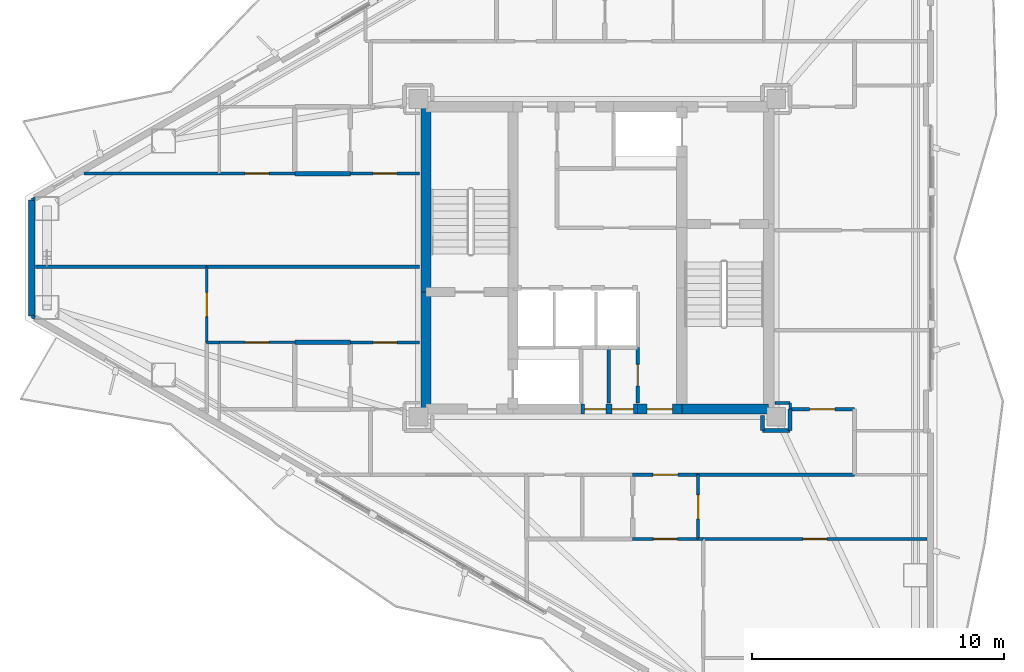
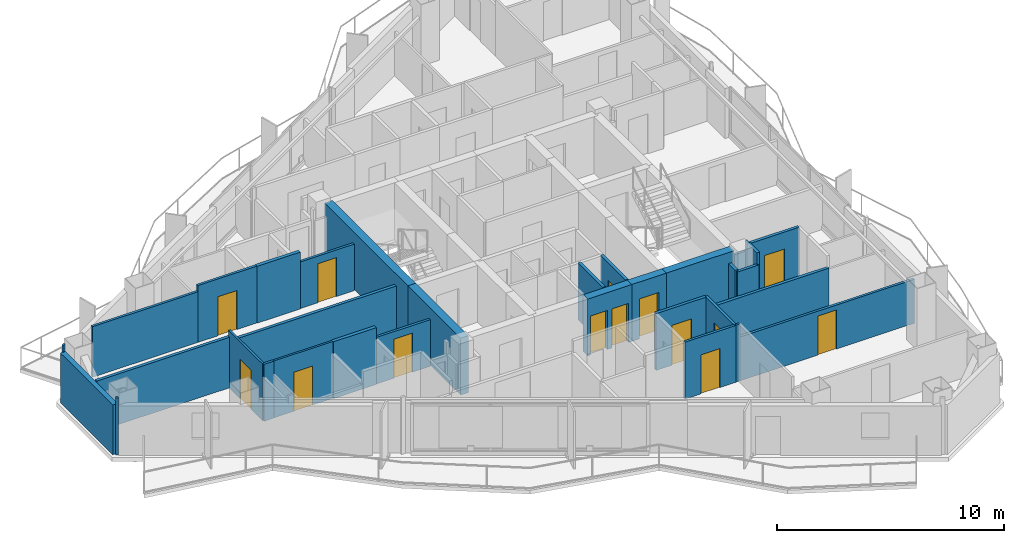
# One storey, part 13 of 19: 33 walls, 14 doors, 14 openings.
"""IFC4 building model written with IfcOpenShell, lengths in metres."""

from ifc_helpers import new_model, si_unit, direction, frame, frame_2d, origin, place, context, subcontext, project, spatial, rectangle, extrude, material, layer, layer_set, type_object, element, fill, save


model = new_model("IFC4")

# Units and contexts
model_context = context("Model", 3, precision=1e-05, world=origin(), true_north=direction((0.0, 1.0)))
body_context = subcontext(model_context, "Body", "Model", "MODEL_VIEW")
ifc_project = project(units=[si_unit("LENGTHUNIT", "METRE"), si_unit("AREAUNIT", "SQUARE_METRE"), si_unit("VOLUMEUNIT", "CUBIC_METRE"), si_unit("PLANEANGLEUNIT", "RADIAN"), si_unit("MASSUNIT", "GRAM", prefix="KILO")], contexts=[model_context])

# Site, building, storey
site_placement = place(None, origin())
site = spatial("IfcSite", under=ifc_project, at=site_placement, CompositionType="ELEMENT")
building_placement = place(site_placement, origin())
building = spatial("IfcBuilding", under=site, at=building_placement, Name="Mersakhor Tower and Convention Hall", CompositionType="ELEMENT")
storey_placement = place(building_placement, frame((0.0, 0.0, 127.800048828125)))
storey = spatial("IfcBuildingStorey", under=building, at=storey_placement, Name="L35", CompositionType="ELEMENT", Elevation=127.800048828125)

# Walls
ifc_material_1 = material(Name="Precast concrete C40/50", Category="concrete")
ifc_layer_1 = layer(ifc_material_1, 0.25)
ifc_layer_set_1 = layer_set([ifc_layer_1], Name="Precast concrete C40/50")
wall_type_1 = type_object("IfcWallType", Name="WL-EXT-250", PredefinedType="SOLIDWALL", material=ifc_layer_set_1)
wall_1_placement = place(storey_placement, frame((6.560302734375, 24.44140625, 0.0), z_axis=(0.0, 0.0, 1.0), x_axis=(0.0, 1.0, 0.0)))
element("IfcWall", 1, at=wall_1_placement, inside=storey, type_object=wall_type_1, Name="L35 Chamfer Braced Spandrel Wall C3", PredefinedType="SOLIDWALL", context=body_context, shape_type="SweptSolid", body=[
    extrude(rectangle(XDim=4.6171875, YDim=0.25, at=frame_2d((2.30859375, 0.0))), origin(), (0.0, 0.0, 1.0), 2.679931640625),
])
ifc_material_2 = material(Name="Moisture-resistant acoustic drywall studwork", Category="other")
ifc_layer_2 = layer(ifc_material_2, 0.175048828125)
ifc_layer_set_2 = layer_set([ifc_layer_2], Name="Moisture-resistant acoustic drywall studwork")
wall_type_2 = type_object("IfcWallType", Name="WL-PLM-175", PredefinedType="PLUMBINGWALL", material=ifc_layer_set_2)
for number, where, z_axis, x_axis, name in (
    (2, (19.199951171875, 30.10009765625, 0.0), (0.0, 0.0, 1.0), (-1.0, 0.0, 0.0), "L35 Interior Partition Wall P-080"),
    (3, (17.0, 23.39990234375, 0.0), (0.0, 0.0, 1.0), (1.0, 0.0, 0.0), "L35 Interior Partition Wall P-085"),
):
    element("IfcWall", number, at=place(storey_placement, frame(where, z_axis=z_axis, x_axis=x_axis)), inside=storey, type_object=wall_type_2, Name=name, PredefinedType="PLUMBINGWALL", context=body_context, shape_type="SweptSolid", body=[
        extrude(rectangle(XDim=2.199951171875, YDim=0.175048828125, at=frame_2d((1.10009765625, 0.0))), origin(), (0.0, 0.0, 1.0), 3.06005859375),
    ])
ifc_material_3 = material(Name="Lightweight gypsum partition", Category="other")
ifc_layer_3 = layer(ifc_material_3, 0.10009765625)
ifc_layer_set_3 = layer_set([ifc_layer_3], Name="Lightweight gypsum partition")
wall_type_3 = type_object("IfcWallType", Name="WL-PRT-100", PredefinedType="PARTITIONING", material=ifc_layer_set_3)
wall_2_placement = place(storey_placement, frame((33.199951171875, 15.60009765625, 0.0), z_axis=(0.0, 0.0, 1.0), x_axis=(-1.0, 0.0, 0.0)))
element("IfcWall", 4, at=wall_2_placement, inside=storey, type_object=wall_type_3, Name="L35 Interior Partition Wall P-078", PredefinedType="PARTITIONING", context=body_context, shape_type="SweptSolid", body=[
    extrude(rectangle(XDim=0.199951171875, YDim=0.10009765625, at=frame_2d((0.10009765625, 0.0))), origin(), (0.0, 0.0, 1.0), 3.06005859375),
])

# Wall, opening, door
wall_3_placement = place(storey_placement, frame((14.0, 23.39990234375, 0.0), z_axis=(0.0, 0.0, 1.0), x_axis=(1.0, 0.0, 0.0)))
wall_3 = element("IfcWall", 5, at=wall_3_placement, inside=storey, type_object=wall_type_3, Name="L35 Interior Partition Wall P-088", PredefinedType="PARTITIONING", context=body_context, shape_type="SweptSolid", body=[
    extrude(rectangle(XDim=3.0, YDim=0.10009765625, at=frame_2d((1.5, 0.0))), origin(), (0.0, 0.0, 1.0), 3.06005859375),
])
opening_1_placement = place(wall_3_placement, frame((1.02490234375, 0.0, 0.0)))
opening_1 = element("IfcOpeningElement", 6, at=opening_1_placement, cuts=wall_3, Name="Opening RD-01", PredefinedType="OPENING", context=body_context, shape_type="SweptSolid", body=[
    extrude(rectangle(XDim=0.949951171875, YDim=2.10009765625, at=frame_2d((0.47509765625, 1.050048828125))), frame((0.0, 0.06005859375, 0.0), z_axis=(0.0, -1.0, 0.0), x_axis=(1.0, 0.0, 0.0)), (0.0, 0.0, 1.0), 0.1201171875),
])
ifc_material_4 = material(Name="Solid-core hardwood leaf in painted steel frame", Category="steel")
door_type_1 = type_object("IfcDoorType", Name="DR-INT-RM-095x210", OperationType="NOTDEFINED", PredefinedType="DOOR", material=ifc_material_4)
door_1_placement = place(opening_1_placement, origin())
door_1 = element("IfcDoor", 7, at=door_1_placement, inside=storey, type_object=door_type_1, Name="L35 L35 Flat W4 Kitchen to L35 Flat W4 Living and Dining Room Door", OperationType="SINGLE_SWING_LEFT", OverallHeight=2.10009765625, OverallWidth=0.949951171875, PredefinedType="DOOR", context=body_context, shape_type="SweptSolid", body=[
    extrude(rectangle(XDim=0.949951171875, YDim=2.10009765625, at=frame_2d((0.47509765625, 1.050048828125))), frame((0.0, 0.02490234375, 0.0), z_axis=(0.0, -1.0, 0.0), x_axis=(1.0, 0.0, 0.0)), (0.0, 0.0, 1.0), 0.050048828125),
])
fill(opening_1, door_1)

# Walls
wall_4_placement = place(storey_placement, frame((36.64990234375, 20.75, 0.0), z_axis=(0.0, 0.0, 1.0), x_axis=(0.0, 1.0, 0.0)))
element("IfcWall", 8, at=wall_4_placement, inside=storey, type_object=wall_type_3, Name="L35 Interior Partition Wall P-104", PredefinedType="PARTITIONING", context=body_context, shape_type="SweptSolid", body=[
    extrude(rectangle(XDim=0.25, YDim=0.10009765625, at=frame_2d((0.125, 0.0))), origin(), (0.0, 0.0, 1.0), 3.06005859375),
])
wall_5_placement = place(storey_placement, frame((6.56005859375, 29.05908203125, 0.0), z_axis=(0.0, 0.0, 1.0), x_axis=(0.866131372301, 0.499816412211, 0.0)))
element("IfcWall", 9, at=wall_5_placement, inside=storey, type_object=wall_type_3, Name="L35 Interior Partition Wall P-124", PredefinedType="PARTITIONING", context=body_context, shape_type="SweptSolid", body=[
    extrude(rectangle(XDim=0.14990234375, YDim=0.10009765625, at=frame_2d((0.074951171875, 0.0))), origin(), (0.0, 0.0, 1.0), 3.06005859375),
])

# Wall, opening, door
wall_6_placement = place(storey_placement, frame((13.5, 23.39990234375, 0.0), z_axis=(0.0, 0.0, 1.0), x_axis=(0.0, 1.0, 0.0)))
wall_6 = element("IfcWall", 10, at=wall_6_placement, inside=storey, type_object=wall_type_3, Name="L35 Interior Partition Wall P-126", PredefinedType="PARTITIONING", context=body_context, shape_type="SweptSolid", body=[
    extrude(rectangle(XDim=3.0, YDim=0.10009765625, at=frame_2d((1.5, 0.0))), origin(), (0.0, 0.0, 1.0), 3.06005859375),
])
opening_2_placement = place(wall_6_placement, frame((1.02490234375, 0.0, 0.0)))
opening_2 = element("IfcOpeningElement", 11, at=opening_2_placement, cuts=wall_6, Name="Opening RD-01", PredefinedType="OPENING", context=body_context, shape_type="SweptSolid", body=[
    extrude(rectangle(XDim=0.949951171875, YDim=2.10009765625, at=frame_2d((0.47509765625, 1.050048828125))), frame((0.0, 0.06005859375, 0.0), z_axis=(0.0, -1.0, 0.0), x_axis=(1.0, 0.0, 0.0)), (0.0, 0.0, 1.0), 0.1201171875),
])
door_2_placement = place(opening_2_placement, origin())
door_2 = element("IfcDoor", 12, at=door_2_placement, inside=storey, type_object=door_type_1, Name="L35 L35 Flat W4 Living and Dining Room to L35 Flat W4 Bedroom 1 Door", OperationType="SINGLE_SWING_RIGHT", OverallHeight=2.10009765625, OverallWidth=0.949951171875, PredefinedType="DOOR", context=body_context, shape_type="SweptSolid", body=[
    extrude(rectangle(XDim=0.949951171875, YDim=2.10009765625, at=frame_2d((0.47509765625, 1.050048828125))), frame((0.0, 0.02490234375, 0.0), z_axis=(0.0, -1.0, 0.0), x_axis=(1.0, 0.0, 0.0)), (0.0, 0.0, 1.0), 0.050048828125),
])
fill(opening_2, door_2)

ifc_material_5 = material(Name="Gypsum board acoustic partition", Category="other")
ifc_layer_4 = layer(ifc_material_5, 0.125)
ifc_layer_set_4 = layer_set([ifc_layer_4], Name="Gypsum board acoustic partition")
wall_type_4 = type_object("IfcWallType", Name="WL-PRT-125", PredefinedType="PARTITIONING", material=ifc_layer_set_4)
wall_7_placement = place(storey_placement, frame((33.0, 15.60009765625, 0.0), z_axis=(0.0, 0.0, 1.0), x_axis=(-1.0, 0.0, 0.0)))
wall_7 = element("IfcWall", 13, at=wall_7_placement, inside=storey, type_object=wall_type_4, Name="L35 Interior Partition Wall P-053", PredefinedType="PARTITIONING", context=body_context, shape_type="SweptSolid", body=[
    extrude(rectangle(XDim=2.60009765625, YDim=0.125, at=frame_2d((1.300048828125, 0.0))), origin(), (0.0, 0.0, 1.0), 3.06005859375),
])
opening_3_placement = place(wall_7_placement, frame((0.824951171875, 0.0, 0.0)))
opening_3 = element("IfcOpeningElement", 14, at=opening_3_placement, cuts=wall_7, Name="Opening RD-01", PredefinedType="OPENING", context=body_context, shape_type="SweptSolid", body=[
    extrude(rectangle(XDim=0.949951171875, YDim=2.10009765625, at=frame_2d((0.47509765625, 1.050048828125))), frame((0.0, 0.072509765625, 0.0), z_axis=(0.0, -1.0, 0.0), x_axis=(1.0, 0.0, 0.0)), (0.0, 0.0, 1.0), 0.14501953125),
])
door_3_placement = place(opening_3_placement, origin())
door_3 = element("IfcDoor", 15, at=door_3_placement, inside=storey, type_object=door_type_1, Name="L35 L35 Flat S2 Apartment Hall to L35 Flat S2 Living and Dining Room Door", OperationType="SINGLE_SWING_RIGHT", OverallHeight=2.10009765625, OverallWidth=0.949951171875, PredefinedType="DOOR", context=body_context, shape_type="SweptSolid", body=[
    extrude(rectangle(XDim=0.949951171875, YDim=2.10009765625, at=frame_2d((0.47509765625, 1.050048828125))), frame((0.0, 0.02490234375, 0.0), z_axis=(0.0, -1.0, 0.0), x_axis=(1.0, 0.0, 0.0)), (0.0, 0.0, 1.0), 0.050048828125),
])
fill(opening_3, door_3)

wall_8_placement = place(storey_placement, frame((33.0, 18.14990234375, 0.0), z_axis=(0.0, 0.0, 1.0), x_axis=(0.0, -1.0, 0.0)))
wall_8 = element("IfcWall", 16, at=wall_8_placement, inside=storey, type_object=wall_type_4, Name="L35 Interior Partition Wall P-055", PredefinedType="PARTITIONING", context=body_context, shape_type="SweptSolid", body=[
    extrude(rectangle(XDim=2.5498046875, YDim=0.125, at=frame_2d((1.27490234375, 0.0))), origin(), (0.0, 0.0, 1.0), 3.06005859375),
])
opening_4_placement = place(wall_8_placement, frame((0.800048828125, 0.0, 0.0)))
opening_4 = element("IfcOpeningElement", 17, at=opening_4_placement, cuts=wall_8, Name="Opening RD-01", PredefinedType="OPENING", context=body_context, shape_type="SweptSolid", body=[
    extrude(rectangle(XDim=0.949951171875, YDim=2.10009765625, at=frame_2d((0.47509765625, 1.050048828125))), frame((0.0, 0.072509765625, 0.0), z_axis=(0.0, -1.0, 0.0), x_axis=(1.0, 0.0, 0.0)), (0.0, 0.0, 1.0), 0.14501953125),
])
door_4_placement = place(opening_4_placement, origin())
door_4 = element("IfcDoor", 18, at=door_4_placement, inside=storey, type_object=door_type_1, Name="L35 L35 Flat S2 Apartment Hall to L35 Flat S2 Kitchen Door", OperationType="SINGLE_SWING_LEFT", OverallHeight=2.10009765625, OverallWidth=0.949951171875, PredefinedType="DOOR", context=body_context, shape_type="SweptSolid", body=[
    extrude(rectangle(XDim=0.949951171875, YDim=2.10009765625, at=frame_2d((0.47509765625, 1.050048828125))), frame((0.0, 0.02490234375, 0.0), z_axis=(0.0, -1.0, 0.0), x_axis=(1.0, 0.0, 0.0)), (0.0, 0.0, 1.0), 0.050048828125),
])
fill(opening_4, door_4)

wall_9_placement = place(storey_placement, frame((21.949951171875, 30.10009765625, 0.0), z_axis=(0.0, 0.0, 1.0), x_axis=(-1.0, 0.0, 0.0)))
wall_9 = element("IfcWall", 19, at=wall_9_placement, inside=storey, type_object=wall_type_4, Name="L35 Interior Partition Wall P-057", PredefinedType="PARTITIONING", context=body_context, shape_type="SweptSolid", body=[
    extrude(rectangle(XDim=2.75, YDim=0.125, at=frame_2d((1.375, 0.0))), origin(), (0.0, 0.0, 1.0), 2.50830078125),
])
opening_5_placement = place(wall_9_placement, frame((0.89990234375, 0.0, 0.0)))
opening_5 = element("IfcOpeningElement", 20, at=opening_5_placement, cuts=wall_9, Name="Opening RD-01", PredefinedType="OPENING", context=body_context, shape_type="SweptSolid", body=[
    extrude(rectangle(XDim=0.949951171875, YDim=2.10009765625, at=frame_2d((0.47509765625, 1.050048828125))), frame((0.0, 0.072509765625, 0.0), z_axis=(0.0, -1.0, 0.0), x_axis=(1.0, 0.0, 0.0)), (0.0, 0.0, 1.0), 0.14501953125),
])
door_5_placement = place(opening_5_placement, origin())
door_5 = element("IfcDoor", 21, at=door_5_placement, inside=storey, type_object=door_type_1, Name="L35 L35 Flat W3 Apartment Hall to L35 Flat W3 Studio Living and Sleeping Room Door", OperationType="SINGLE_SWING_RIGHT", OverallHeight=2.10009765625, OverallWidth=0.949951171875, PredefinedType="DOOR", context=body_context, shape_type="SweptSolid", body=[
    extrude(rectangle(XDim=0.949951171875, YDim=2.10009765625, at=frame_2d((0.47509765625, 1.050048828125))), frame((0.0, 0.02490234375, 0.0), z_axis=(0.0, -1.0, 0.0), x_axis=(1.0, 0.0, 0.0)), (0.0, 0.0, 1.0), 0.050048828125),
])
fill(opening_5, door_5)

wall_10_placement = place(storey_placement, frame((19.199951171875, 23.39990234375, 0.0), z_axis=(0.0, 0.0, 1.0), x_axis=(1.0, 0.0, 0.0)))
wall_10 = element("IfcWall", 22, at=wall_10_placement, inside=storey, type_object=wall_type_4, Name="L35 Interior Partition Wall P-063", PredefinedType="PARTITIONING", context=body_context, shape_type="SweptSolid", body=[
    extrude(rectangle(XDim=2.75, YDim=0.125, at=frame_2d((1.375, 0.0))), origin(), (0.0, 0.0, 1.0), 2.50830078125),
])
opening_6_placement = place(wall_10_placement, frame((0.89990234375, 0.0, 0.0)))
opening_6 = element("IfcOpeningElement", 23, at=opening_6_placement, cuts=wall_10, Name="Opening RD-01", PredefinedType="OPENING", context=body_context, shape_type="SweptSolid", body=[
    extrude(rectangle(XDim=0.949951171875, YDim=2.10009765625, at=frame_2d((0.47509765625, 1.050048828125))), frame((0.0, 0.072509765625, 0.0), z_axis=(0.0, -1.0, 0.0), x_axis=(1.0, 0.0, 0.0)), (0.0, 0.0, 1.0), 0.14501953125),
])
door_6_placement = place(opening_6_placement, origin())
door_6 = element("IfcDoor", 24, at=door_6_placement, inside=storey, type_object=door_type_1, Name="L35 L35 Flat W4 Apartment Hall to L35 Flat W4 Living and Dining Room Door", OperationType="SINGLE_SWING_RIGHT", OverallHeight=2.10009765625, OverallWidth=0.949951171875, PredefinedType="DOOR", context=body_context, shape_type="SweptSolid", body=[
    extrude(rectangle(XDim=0.949951171875, YDim=2.10009765625, at=frame_2d((0.47509765625, 1.050048828125))), frame((0.0, 0.02490234375, 0.0), z_axis=(0.0, -1.0, 0.0), x_axis=(1.0, 0.0, 0.0)), (0.0, 0.0, 1.0), 0.050048828125),
])
fill(opening_6, door_6)

wall_11_placement = place(storey_placement, frame((42.0703125, 15.60009765625, 0.0), z_axis=(0.0, 0.0, 1.0), x_axis=(-1.0, 0.0, 0.0)))
wall_11 = element("IfcWall", 25, at=wall_11_placement, inside=storey, type_object=wall_type_4, Name="L35 Interior Partition Wall P-077", PredefinedType="PARTITIONING", context=body_context, shape_type="SweptSolid", body=[
    extrude(rectangle(XDim=8.870361328125, YDim=0.125, at=frame_2d((4.43505859375, 0.0))), origin(), (0.0, 0.0, 1.0), 2.364990234375),
])
opening_7_placement = place(wall_11_placement, frame((3.960205078125, 0.0, 0.0)))
opening_7 = element("IfcOpeningElement", 26, at=opening_7_placement, cuts=wall_11, Name="Opening RD-01", PredefinedType="OPENING", context=body_context, shape_type="SweptSolid", body=[
    extrude(rectangle(XDim=0.949951171875, YDim=2.10009765625, at=frame_2d((0.47509765625, 1.050048828125))), frame((0.0, 0.072509765625, 0.0), z_axis=(0.0, -1.0, 0.0), x_axis=(1.0, 0.0, 0.0)), (0.0, 0.0, 1.0), 0.14501953125),
])
door_7_placement = place(opening_7_placement, origin())
door_7 = element("IfcDoor", 27, at=door_7_placement, inside=storey, type_object=door_type_1, Name="L35 L35 Flat S2 Kitchen to L35 Flat S2 Dining Room Door", OperationType="SINGLE_SWING_LEFT", OverallHeight=2.10009765625, OverallWidth=0.949951171875, PredefinedType="DOOR", context=body_context, shape_type="SweptSolid", body=[
    extrude(rectangle(XDim=0.949951171875, YDim=2.10009765625, at=frame_2d((0.47509765625, 1.050048828125))), frame((0.0, 0.02490234375, 0.0), z_axis=(0.0, -1.0, 0.0), x_axis=(1.0, 0.0, 0.0)), (0.0, 0.0, 1.0), 0.050048828125),
])
fill(opening_7, door_7)

wall_12_placement = place(storey_placement, frame((17.0, 30.10009765625, 0.0), z_axis=(0.0, 0.0, 1.0), x_axis=(-1.0, 0.0, 0.0)))
wall_12 = element("IfcWall", 28, at=wall_12_placement, inside=storey, type_object=wall_type_4, Name="L35 Interior Partition Wall P-083", PredefinedType="PARTITIONING", context=body_context, shape_type="SweptSolid", body=[
    extrude(rectangle(XDim=3.0, YDim=0.125, at=frame_2d((1.5, 0.0))), origin(), (0.0, 0.0, 1.0), 3.06005859375),
])
opening_8_placement = place(wall_12_placement, frame((1.02490234375, 0.0, 0.0)))
opening_8 = element("IfcOpeningElement", 29, at=opening_8_placement, cuts=wall_12, Name="Opening RD-01", PredefinedType="OPENING", context=body_context, shape_type="SweptSolid", body=[
    extrude(rectangle(XDim=0.949951171875, YDim=2.10009765625, at=frame_2d((0.47509765625, 1.050048828125))), frame((0.0, 0.072509765625, 0.0), z_axis=(0.0, -1.0, 0.0), x_axis=(1.0, 0.0, 0.0)), (0.0, 0.0, 1.0), 0.14501953125),
])
door_8_placement = place(opening_8_placement, origin())
door_8 = element("IfcDoor", 30, at=door_8_placement, inside=storey, type_object=door_type_1, Name="L35 L35 Flat W3 Kitchen to L35 Flat W3 Studio Living and Sleeping Room Door", OperationType="SINGLE_SWING_RIGHT", OverallHeight=2.10009765625, OverallWidth=0.949951171875, PredefinedType="DOOR", context=body_context, shape_type="SweptSolid", body=[
    extrude(rectangle(XDim=0.949951171875, YDim=2.10009765625, at=frame_2d((0.47509765625, 1.050048828125))), frame((0.0, 0.02490234375, 0.0), z_axis=(0.0, -1.0, 0.0), x_axis=(1.0, 0.0, 0.0)), (0.0, 0.0, 1.0), 0.050048828125),
])
fill(opening_8, door_8)

# Walls
wall_13_placement = place(storey_placement, frame((36.64990234375, 21.0, 0.0), z_axis=(0.0, 0.0, 1.0), x_axis=(-1.0, 0.0, 0.0)))
element("IfcWall", 31, at=wall_13_placement, inside=storey, type_object=wall_type_4, Name="L35 Interior Partition Wall P-105", PredefinedType="PARTITIONING", context=body_context, shape_type="SweptSolid", body=[
    extrude(rectangle(XDim=0.599853515625, YDim=0.125, at=frame_2d((0.2998046875, 0.0))), origin(), (0.0, 0.0, 1.0), 2.50830078125),
])
wall_14_placement = place(storey_placement, frame((8.634765625, 30.10009765625, 0.0), z_axis=(0.0, 0.0, 1.0), x_axis=(1.0, 0.0, 0.0)))
element("IfcWall", 32, at=wall_14_placement, inside=storey, type_object=wall_type_4, Name="L35 Interior Partition Wall P-121", PredefinedType="PARTITIONING", context=body_context, shape_type="SweptSolid", body=[
    extrude(rectangle(XDim=5.365234375, YDim=0.125, at=frame_2d((2.6826171875, 0.0))), origin(), (0.0, 0.0, 1.0), 2.724365234375),
])
wall_15_placement = place(storey_placement, frame((14.0, 23.39990234375, 0.0), z_axis=(0.0, 0.0, 1.0), x_axis=(-1.0, 0.0, 0.0)))
element("IfcWall", 33, at=wall_15_placement, inside=storey, type_object=wall_type_4, Name="L35 Interior Partition Wall P-125", PredefinedType="PARTITIONING", context=body_context, shape_type="SweptSolid", body=[
    extrude(rectangle(XDim=0.5, YDim=0.125, at=frame_2d((0.25, 0.0))), origin(), (0.0, 0.0, 1.0), 3.06005859375),
])
wall_16_placement = place(storey_placement, frame((6.68994140625, 24.365966796875, 0.0), z_axis=(0.0, 0.0, 1.0), x_axis=(-0.866131372301, 0.499816412211, 0.0)))
element("IfcWall", 34, at=wall_16_placement, inside=storey, type_object=wall_type_4, Name="L35 Interior Partition Wall P-129", PredefinedType="PARTITIONING", context=body_context, shape_type="SweptSolid", body=[
    extrude(rectangle(XDim=0.14990234375, YDim=0.125, at=frame_2d((0.074951171875, 0.0))), origin(), (0.0, 0.0, 1.0), 3.06005859375),
])

# Wall, opening, door
ifc_material_6 = material(Name="Fire-rated gypsum board stud partition", Category="other")
ifc_layer_5 = layer(ifc_material_6, 0.14990234375)
ifc_layer_set_5 = layer_set([ifc_layer_5], Name="Fire-rated gypsum board stud partition")
wall_type_5 = type_object("IfcWallType", Name="WL-PRT-150", PredefinedType="PARTITIONING", material=ifc_layer_set_5)
wall_17_placement = place(storey_placement, frame((30.60009765625, 21.0, 0.0), z_axis=(0.0, 0.0, 1.0), x_axis=(0.0, 1.0, 0.0)))
wall_17 = element("IfcWall", 35, at=wall_17_placement, inside=storey, type_object=wall_type_5, Name="L35 Interior Partition Wall P-012", PredefinedType="PARTITIONING", context=body_context, shape_type="SweptSolid", body=[
    extrude(rectangle(XDim=2.199951171875, YDim=0.14990234375, at=frame_2d((1.10009765625, 0.0))), origin(), (0.0, 0.0, 1.0), 3.06005859375),
])
opening_9_placement = place(wall_17_placement, frame((0.675048828125, 0.0, 0.0)))
opening_9 = element("IfcOpeningElement", 36, at=opening_9_placement, cuts=wall_17, Name="Opening SVD-01", PredefinedType="OPENING", context=body_context, shape_type="SweptSolid", body=[
    extrude(rectangle(XDim=0.85009765625, YDim=2.10009765625, at=frame_2d((0.425048828125, 1.050048828125))), frame((0.0, 0.0849609375, 0.0), z_axis=(0.0, -1.0, 0.0), x_axis=(1.0, 0.0, 0.0)), (0.0, 0.0, 1.0), 0.169921875),
])
ifc_material_7 = material(Name="Fire-rated hardwood leaf and painted steel frame", Category="steel")
door_type_2 = type_object("IfcDoorType", Name="DR-INT-SVC-085x210", OperationType="NOTDEFINED", PredefinedType="DOOR", material=ifc_material_7)
door_9_placement = place(opening_9_placement, origin())
door_9 = element("IfcDoor", 37, at=door_9_placement, inside=storey, type_object=door_type_2, Name="L35 Central Passenger Lift Lobby to Core Maintenance Store Room Door", OperationType="SINGLE_SWING_LEFT", OverallHeight=2.10009765625, OverallWidth=0.85009765625, PredefinedType="DOOR", context=body_context, shape_type="SweptSolid", body=[
    extrude(rectangle(XDim=0.85009765625, YDim=2.10009765625, at=frame_2d((0.425048828125, 1.050048828125))), frame((0.0, 0.02490234375, 0.0), z_axis=(0.0, -1.0, 0.0), x_axis=(1.0, 0.0, 0.0)), (0.0, 0.0, 1.0), 0.050048828125),
])
fill(opening_9, door_9)

# Walls
wall_18_placement = place(storey_placement, frame((35.550048828125, 20.5, 0.0), z_axis=(0.0, 0.0, 1.0), x_axis=(0.0, -1.0, 0.0)))
element("IfcWall", 38, at=wall_18_placement, inside=storey, type_object=wall_type_5, Name="L35 Interior Partition Wall P-034", PredefinedType="PARTITIONING", context=body_context, shape_type="SweptSolid", body=[
    extrude(rectangle(XDim=0.60009765625, YDim=0.14990234375, at=frame_2d((0.300048828125, 0.0))), origin(), (0.0, 0.0, 1.0), 2.50830078125),
])
wall_19_placement = place(storey_placement, frame((35.550048828125, 19.89990234375, 0.0), z_axis=(0.0, 0.0, 1.0), x_axis=(1.0, 0.0, 0.0)))
element("IfcWall", 39, at=wall_19_placement, inside=storey, type_object=wall_type_5, Name="L35 Interior Partition Wall P-035", PredefinedType="PARTITIONING", context=body_context, shape_type="SweptSolid", body=[
    extrude(rectangle(XDim=1.099853515625, YDim=0.14990234375, at=frame_2d((0.5498046875, 0.0))), origin(), (0.0, 0.0, 1.0), 2.432861328125),
])
wall_20_placement = place(storey_placement, frame((36.64990234375, 19.89990234375, 0.0), z_axis=(0.0, 0.0, 1.0), x_axis=(0.0, 1.0, 0.0)))
element("IfcWall", 40, at=wall_20_placement, inside=storey, type_object=wall_type_5, Name="L35 Interior Partition Wall P-036", PredefinedType="PARTITIONING", context=body_context, shape_type="SweptSolid", body=[
    extrude(rectangle(XDim=0.85009765625, YDim=0.14990234375, at=frame_2d((0.425048828125, 0.0))), origin(), (0.0, 0.0, 1.0), 3.06005859375),
])

# Wall, opening, door
wall_21_placement = place(storey_placement, frame((36.64990234375, 20.75, 0.0), z_axis=(0.0, 0.0, 1.0), x_axis=(1.0, 0.0, 0.0)))
wall_21 = element("IfcWall", 41, at=wall_21_placement, inside=storey, type_object=wall_type_5, Name="L35 Interior Partition Wall P-037", PredefinedType="PARTITIONING", context=body_context, shape_type="SweptSolid", body=[
    extrude(rectangle(XDim=2.550048828125, YDim=0.14990234375, at=frame_2d((1.27490234375, 0.0))), origin(), (0.0, 0.0, 1.0), 3.06005859375),
])
opening_10_placement = place(wall_21_placement, frame((0.77490234375, 0.0, 0.0)))
opening_10 = element("IfcOpeningElement", 42, at=opening_10_placement, cuts=wall_21, Name="Opening FD-01", PredefinedType="OPENING", context=body_context, shape_type="SweptSolid", body=[
    extrude(rectangle(XDim=1.0, YDim=2.14990234375, at=frame_2d((0.5, 1.074951171875))), frame((0.0, 0.0849609375, 0.0), z_axis=(0.0, -1.0, 0.0), x_axis=(1.0, 0.0, 0.0)), (0.0, 0.0, 1.0), 0.169921875),
])
ifc_material_8 = material(Name="Fire-rated hardwood leaf and painted steel frame", Category="steel")
door_type_3 = type_object("IfcDoorType", Name="DR-INT-FLT-100x215", OperationType="NOTDEFINED", PredefinedType="DOOR", material=ifc_material_8)
door_10_placement = place(opening_10_placement, origin())
door_10 = element("IfcDoor", 43, at=door_10_placement, inside=storey, type_object=door_type_3, Name="L35 Residential South Gallery Corridor to L35 East Wing Communal Laundry Room Door", OperationType="SINGLE_SWING_RIGHT", OverallHeight=2.14990234375, OverallWidth=1.0, PredefinedType="DOOR", context=body_context, shape_type="SweptSolid", body=[
    extrude(rectangle(XDim=1.0, YDim=2.14990234375, at=frame_2d((0.5, 1.074951171875))), frame((0.0, 0.02490234375, 0.0), z_axis=(0.0, -1.0, 0.0), x_axis=(1.0, 0.0, 0.0)), (0.0, 0.0, 1.0), 0.050048828125),
])
fill(opening_10, door_10)

# Wall
wall_22_placement = place(storey_placement, frame((39.199951171875, 18.14990234375, 0.0), z_axis=(0.0, 0.0, 1.0), x_axis=(-1.0, 0.0, 0.0)))
element("IfcWall", 44, at=wall_22_placement, inside=storey, type_object=wall_type_5, Name="L35 Interior Partition Wall P-040", PredefinedType="PARTITIONING", context=body_context, shape_type="SweptSolid", body=[
    extrude(rectangle(XDim=6.199951171875, YDim=0.14990234375, at=frame_2d((3.10009765625, 0.0))), origin(), (0.0, 0.0, 1.0), 2.432861328125),
])

# Wall, opening, door
wall_23_placement = place(storey_placement, frame((33.0, 18.14990234375, 0.0), z_axis=(0.0, 0.0, 1.0), x_axis=(-1.0, 0.0, 0.0)))
wall_23 = element("IfcWall", 45, at=wall_23_placement, inside=storey, type_object=wall_type_5, Name="L35 Interior Partition Wall P-041", PredefinedType="PARTITIONING", context=body_context, shape_type="SweptSolid", body=[
    extrude(rectangle(XDim=2.60009765625, YDim=0.14990234375, at=frame_2d((1.300048828125, 0.0))), origin(), (0.0, 0.0, 1.0), 3.06005859375),
])
opening_11_placement = place(wall_23_placement, frame((0.800048828125, 0.0, 0.0)))
opening_11 = element("IfcOpeningElement", 46, at=opening_11_placement, cuts=wall_23, Name="Opening FD-01", PredefinedType="OPENING", context=body_context, shape_type="SweptSolid", body=[
    extrude(rectangle(XDim=1.0, YDim=2.14990234375, at=frame_2d((0.5, 1.074951171875))), frame((0.0, 0.0849609375, 0.0), z_axis=(0.0, -1.0, 0.0), x_axis=(1.0, 0.0, 0.0)), (0.0, 0.0, 1.0), 0.169921875),
])
door_11_placement = place(opening_11_placement, origin())
door_11 = element("IfcDoor", 47, at=door_11_placement, inside=storey, type_object=door_type_3, Name="L35 Apartment Entrance Door (Residential South Gallery Corridor to L35 Flat S2 Apartment Hall)", OperationType="SINGLE_SWING_RIGHT", OverallHeight=2.14990234375, OverallWidth=1.0, PredefinedType="DOOR", context=body_context, shape_type="SweptSolid", body=[
    extrude(rectangle(XDim=1.0, YDim=2.14990234375, at=frame_2d((0.5, 1.074951171875))), frame((0.0, 0.02490234375, 0.0), z_axis=(0.0, -1.0, 0.0), x_axis=(1.0, 0.0, 0.0)), (0.0, 0.0, 1.0), 0.050048828125),
])
fill(opening_11, door_11)

# Walls
wall_24_placement = place(storey_placement, frame((29.449951171875, 23.199951171875, 0.0), z_axis=(0.0, 0.0, 1.0), x_axis=(0.0, -1.0, 0.0)))
element("IfcWall", 48, at=wall_24_placement, inside=storey, type_object=wall_type_5, Name="L35 Interior Partition Wall P-092", PredefinedType="PARTITIONING", context=body_context, shape_type="SweptSolid", body=[
    extrude(rectangle(XDim=2.199951171875, YDim=0.14990234375, at=frame_2d((1.10009765625, 0.0))), origin(), (0.0, 0.0, 1.0), 3.06005859375),
])
wall_25_placement = place(storey_placement, frame((21.949951171875, 26.39990234375, 0.0), z_axis=(0.0, 0.0, 1.0), x_axis=(-1.0, 0.0, 0.0)))
element("IfcWall", 49, at=wall_25_placement, inside=storey, type_object=wall_type_5, Name="L35 Interior Partition Wall P-122", PredefinedType="PARTITIONING", context=body_context, shape_type="SweptSolid", body=[
    extrude(rectangle(XDim=8.449951171875, YDim=0.14990234375, at=frame_2d((4.22509765625, 0.0))), origin(), (0.0, 0.0, 1.0), 2.50830078125),
])
wall_26_placement = place(storey_placement, frame((13.5, 26.39990234375, 0.0), z_axis=(0.0, 0.0, 1.0), x_axis=(-1.0, 0.0, 0.0)))
element("IfcWall", 50, at=wall_26_placement, inside=storey, type_object=wall_type_5, Name="L35 Interior Partition Wall P-123", PredefinedType="PARTITIONING", context=body_context, shape_type="SweptSolid", body=[
    extrude(rectangle(XDim=6.790771484375, YDim=0.14990234375, at=frame_2d((3.3955078125, 0.0))), origin(), (0.0, 0.0, 1.0), 2.724365234375),
])
ifc_material_9 = material(Name="Concrete C60/75", Category="concrete")
ifc_layer_6 = layer(ifc_material_9, 0.39990234375)
ifc_layer_set_6 = layer_set([ifc_layer_6], Name="Concrete C60/75")
wall_type_6 = type_object("IfcWallType", Name="WL-SHR-400", PredefinedType="SHEAR", material=ifc_layer_set_6)
wall_27_placement = place(storey_placement, frame((22.199951171875, 20.75, 0.0), z_axis=(0.0, 0.0, 1.0), x_axis=(0.0, 1.0, 0.0)))
element("IfcWall", 51, at=wall_27_placement, inside=storey, type_object=wall_type_6, Name="L35 Core Wall CW-W1", PredefinedType="SHEAR", context=body_context, shape_type="SweptSolid", body=[
    extrude(rectangle(XDim=4.64990234375, YDim=0.39990234375, at=frame_2d((2.324951171875, 0.0))), origin(), (0.0, 0.0, 1.0), 3.06005859375),
])
wall_28_placement = place(storey_placement, frame((22.199951171875, 25.39990234375, 0.0), z_axis=(0.0, 0.0, 1.0), x_axis=(0.0, 1.0, 0.0)))
element("IfcWall", 52, at=wall_28_placement, inside=storey, type_object=wall_type_6, Name="L35 Core Wall CW-W2", PredefinedType="SHEAR", context=body_context, shape_type="SweptSolid", body=[
    extrude(rectangle(XDim=7.35009765625, YDim=0.39990234375, at=frame_2d((3.675048828125, 0.0))), origin(), (0.0, 0.0, 1.0), 3.06005859375),
])
wall_29_placement = place(storey_placement, frame((35.800048828125, 20.75, 0.0), z_axis=(0.0, 0.0, 1.0), x_axis=(-1.0, 0.0, 0.0)))
element("IfcWall", 53, at=wall_29_placement, inside=storey, type_object=wall_type_6, Name="L35 Core Wall CW-S1", PredefinedType="SHEAR", context=body_context, shape_type="SweptSolid", body=[
    extrude(rectangle(XDim=3.449951171875, YDim=0.39990234375, at=frame_2d((1.72509765625, 0.0))), origin(), (0.0, 0.0, 1.0), 3.06005859375),
])

# Wall, opening, door
wall_30_placement = place(storey_placement, frame((32.35009765625, 20.75, 0.0), z_axis=(0.0, 0.0, 1.0), x_axis=(-1.0, 0.0, 0.0)))
wall_30 = element("IfcWall", 54, at=wall_30_placement, inside=storey, type_object=wall_type_6, Name="L35 Core Wall CW-S2A", PredefinedType="SHEAR", context=body_context, shape_type="SweptSolid", body=[
    extrude(rectangle(XDim=1.75, YDim=0.39990234375, at=frame_2d((0.875, 0.0))), origin(), (0.0, 0.0, 1.0), 3.06005859375),
])
opening_12_placement = place(wall_30_placement, frame((0.375, 0.0, 0.0)))
opening_12 = element("IfcOpeningElement", 55, at=opening_12_placement, cuts=wall_30, Name="Opening CFD-01", PredefinedType="OPENING", context=body_context, shape_type="SweptSolid", body=[
    extrude(rectangle(XDim=1.0, YDim=2.14990234375, at=frame_2d((0.5, 1.074951171875))), frame((0.0, 0.2099609375, 0.0), z_axis=(0.0, -1.0, 0.0), x_axis=(1.0, 0.0, 0.0)), (0.0, 0.0, 1.0), 0.419921875),
])
ifc_material_10 = material(Name="Fire-rated hardwood leaf and painted steel frame", Category="steel")
door_type_4 = type_object("IfcDoorType", Name="DR-CORE-FD-100x215", OperationType="NOTDEFINED", PredefinedType="DOOR", material=ifc_material_10)
door_12_placement = place(opening_12_placement, origin())
door_12 = element("IfcDoor", 56, at=door_12_placement, inside=storey, type_object=door_type_4, Name="L35 Lift Lobby South Corridor Door", OperationType="SINGLE_SWING_RIGHT", OverallHeight=2.14990234375, OverallWidth=1.0, PredefinedType="DOOR", context=body_context, shape_type="SweptSolid", body=[
    extrude(rectangle(XDim=1.0, YDim=2.14990234375, at=frame_2d((0.5, 1.074951171875))), frame((0.0, 0.02490234375, 0.0), z_axis=(0.0, -1.0, 0.0), x_axis=(1.0, 0.0, 0.0)), (0.0, 0.0, 1.0), 0.050048828125),
])
fill(opening_12, door_12)

# Wall, openings, doors
wall_31_placement = place(storey_placement, frame((30.60009765625, 20.75, 0.0), z_axis=(0.0, 0.0, 1.0), x_axis=(-1.0, 0.0, 0.0)))
wall_31 = element("IfcWall", 57, at=wall_31_placement, inside=storey, type_object=wall_type_6, Name="L35 Core Wall CW-S2B", PredefinedType="SHEAR", context=body_context, shape_type="SweptSolid", body=[
    extrude(rectangle(XDim=2.25, YDim=0.39990234375, at=frame_2d((1.125, 0.0))), origin(), (0.0, 0.0, 1.0), 3.06005859375),
])
opening_13_placement = place(wall_31_placement, frame((1.2548828125, 0.0, 0.0)))
opening_13 = element("IfcOpeningElement", 58, at=opening_13_placement, cuts=wall_31, Name="Opening SVD-01", PredefinedType="OPENING", context=body_context, shape_type="SweptSolid", body=[
    extrude(rectangle(XDim=0.85009765625, YDim=2.10009765625, at=frame_2d((0.425048828125, 1.050048828125))), frame((0.0, 0.2099609375, 0.0), z_axis=(0.0, -1.0, 0.0), x_axis=(1.0, 0.0, 0.0)), (0.0, 0.0, 1.0), 0.419921875),
])
opening_14_placement = place(wall_31_placement, frame((0.169921875, 0.0, 0.0)))
opening_14 = element("IfcOpeningElement", 59, at=opening_14_placement, cuts=wall_31, Name="Opening SVD-01", PredefinedType="OPENING", context=body_context, shape_type="SweptSolid", body=[
    extrude(rectangle(XDim=0.85009765625, YDim=2.10009765625, at=frame_2d((0.425048828125, 1.050048828125))), frame((0.0, 0.2099609375, 0.0), z_axis=(0.0, -1.0, 0.0), x_axis=(1.0, 0.0, 0.0)), (0.0, 0.0, 1.0), 0.419921875),
])
door_13_placement = place(opening_13_placement, origin())
door_13 = element("IfcDoor", 60, at=door_13_placement, inside=storey, type_object=door_type_2, Name="L35 Residential South Gallery Corridor to Sub-Metering Switch Room Door", OperationType="SINGLE_SWING_LEFT", OverallHeight=2.10009765625, OverallWidth=0.85009765625, PredefinedType="DOOR", context=body_context, shape_type="SweptSolid", body=[
    extrude(rectangle(XDim=0.85009765625, YDim=2.10009765625, at=frame_2d((0.425048828125, 1.050048828125))), frame((0.0, 0.02490234375, 0.0), z_axis=(0.0, -1.0, 0.0), x_axis=(1.0, 0.0, 0.0)), (0.0, 0.0, 1.0), 0.050048828125),
])
fill(opening_13, door_13)
door_14_placement = place(opening_14_placement, origin())
door_14 = element("IfcDoor", 61, at=door_14_placement, inside=storey, type_object=door_type_2, Name="L35 Residential South Gallery Corridor to Core Maintenance Store Room Door", OperationType="SINGLE_SWING_RIGHT", OverallHeight=2.10009765625, OverallWidth=0.85009765625, PredefinedType="DOOR", context=body_context, shape_type="SweptSolid", body=[
    extrude(rectangle(XDim=0.85009765625, YDim=2.10009765625, at=frame_2d((0.425048828125, 1.050048828125))), frame((0.0, 0.02490234375, 0.0), z_axis=(0.0, -1.0, 0.0), x_axis=(1.0, 0.0, 0.0)), (0.0, 0.0, 1.0), 0.050048828125),
])
fill(opening_14, door_14)

save(model, "model.ifc")
